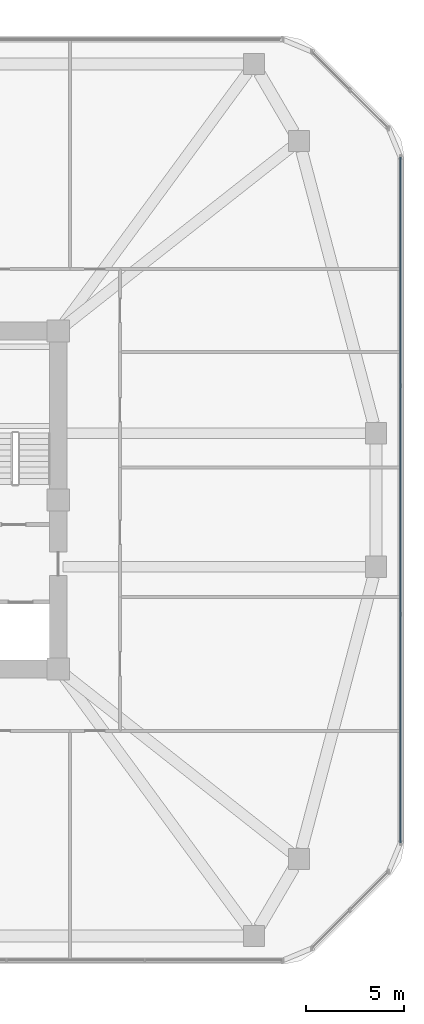
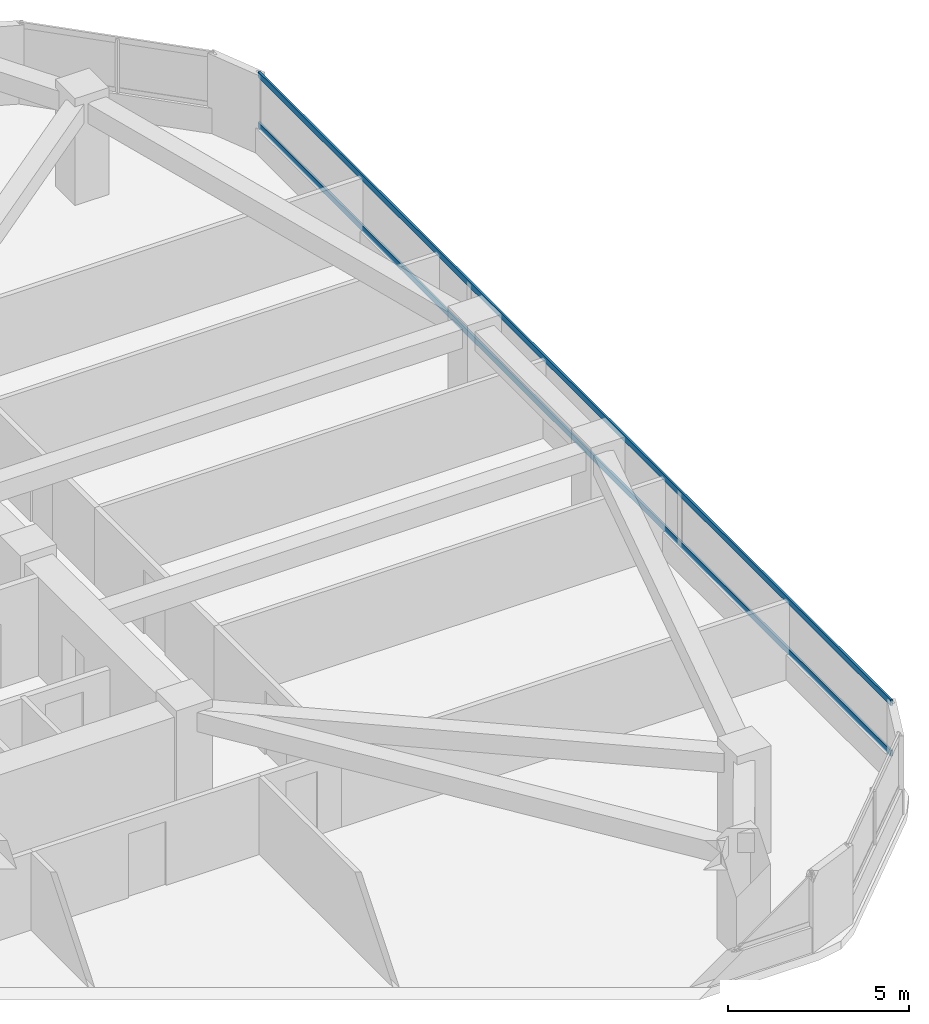
# One storey, part 4 of 13: 2 members, 1 element without a shape of its own.
"""IFC4 building model written with IfcOpenShell, lengths in metres."""

from ifc_helpers import new_model, si_unit, derived_unit, direction, frame, origin, origin_2d, place, context, subcontext, project, spatial, rectangle, extrude, material, material_profile, profile_set, type_object, element, aggregate, save


model = new_model("IFC4")

# Units and contexts
model_context = context("Model", 3, precision=1e-05, world=origin(), true_north=direction((0.0, 1.0)))
body_context = subcontext(model_context, "Body", "Model", "MODEL_VIEW")
ifc_project = project(units=[si_unit("LENGTHUNIT", "METRE"), si_unit("AREAUNIT", "SQUARE_METRE"), si_unit("VOLUMEUNIT", "CUBIC_METRE"), si_unit("PLANEANGLEUNIT", "RADIAN"), si_unit("MASSUNIT", "GRAM", prefix="KILO"), derived_unit("THERMALTRANSMITTANCEUNIT", [(si_unit("POWERUNIT", "WATT"), 1), (si_unit("LENGTHUNIT", "METRE"), -2), (si_unit("THERMODYNAMICTEMPERATUREUNIT", "KELVIN"), -1)])], contexts=[model_context])

# Site, building, storey
site_placement = place(None, origin())
site = spatial("IfcSite", under=ifc_project, at=site_placement, CompositionType="ELEMENT")
building_placement = place(site_placement, origin())
building = spatial("IfcBuilding", under=site, at=building_placement, Name="Koralith Skygarden Medical Center", CompositionType="ELEMENT")
storey_placement = place(building_placement, frame((0.0, 0.0, 63.5400390625)))
storey = spatial("IfcBuildingStorey", under=building, at=storey_placement, Name="L16", CompositionType="ELEMENT", Elevation=63.5400390625)

# Curtain wall, members
ifc_material_1 = material(Name="Clear Laminated Glass", Category="glass")
curtain_wall_type = type_object("IfcCurtainWallType", Name="CW-2 Zone 1 Hurricane Unitised Curtain Wall", PredefinedType="NOTDEFINED", material=ifc_material_1)
curtain_wall_placement = place(storey_placement, origin())
curtain_wall = element("IfcCurtainWall", 1, at=curtain_wall_placement, inside=storey, type_object=curtain_wall_type, Name="Curtain Wall CW-L16-E", PredefinedType="NOTDEFINED")
ifc_material_2 = material(Name="Aluminium 6063-T6", Category="aluminium")
ifc_material_profile = material_profile(ifc_material_2, rectangle(XDim=0.06591796875, YDim=0.197998046875, at=origin_2d()), Name="TRN66X198")
ifc_profile_set = profile_set([ifc_material_profile], Name="Aluminium 6063-T6")
member_type = type_object("IfcMemberType", Name="CW-2 Thermal Transom 66x198", PredefinedType="USERDEFINED", material=ifc_profile_set)
member_1_placement = place(storey_placement, frame((65.6201171875, 8.455078125, 0.89990234375), z_axis=(0.0, 1.0, 0.0), x_axis=(-1.0, 0.0, 0.0)))
member_1 = element("IfcMember", 2, at=member_1_placement, type_object=member_type, Name="CW-L16-E Transom 1", ObjectType="TRANSOM", PredefinedType="USERDEFINED", context=body_context, shape_type="SweptSolid", body=[
    extrude(rectangle(XDim=0.06591796875, YDim=0.197998046875, at=origin_2d()), origin(), (0.0, 0.0, 1.0), 34.889892578125),
])
member_2_placement = place(storey_placement, frame((65.6201171875, 8.455078125, 2.599853515625), z_axis=(0.0, 1.0, 0.0), x_axis=(-1.0, 0.0, 0.0)))
member_2 = element("IfcMember", 3, at=member_2_placement, type_object=member_type, Name="CW-L16-E Transom 2", ObjectType="TRANSOM", PredefinedType="USERDEFINED", context=body_context, shape_type="SweptSolid", body=[
    extrude(rectangle(XDim=0.06591796875, YDim=0.197998046875, at=origin_2d()), origin(), (0.0, 0.0, 1.0), 34.889892578125),
])
aggregate(curtain_wall, [member_1, member_2])

save(model, "model.ifc")
